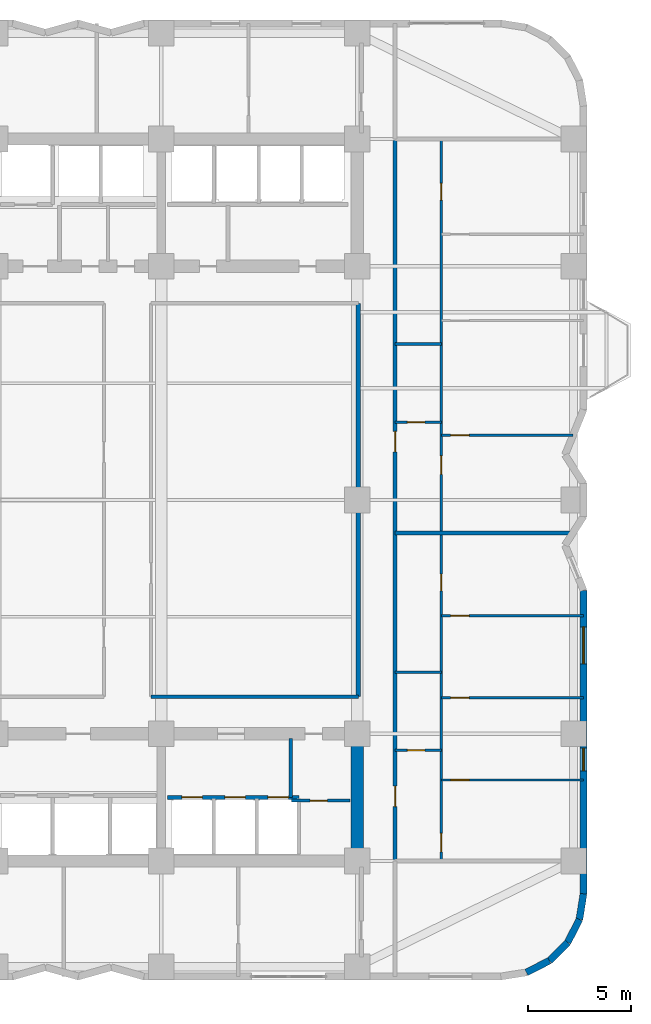
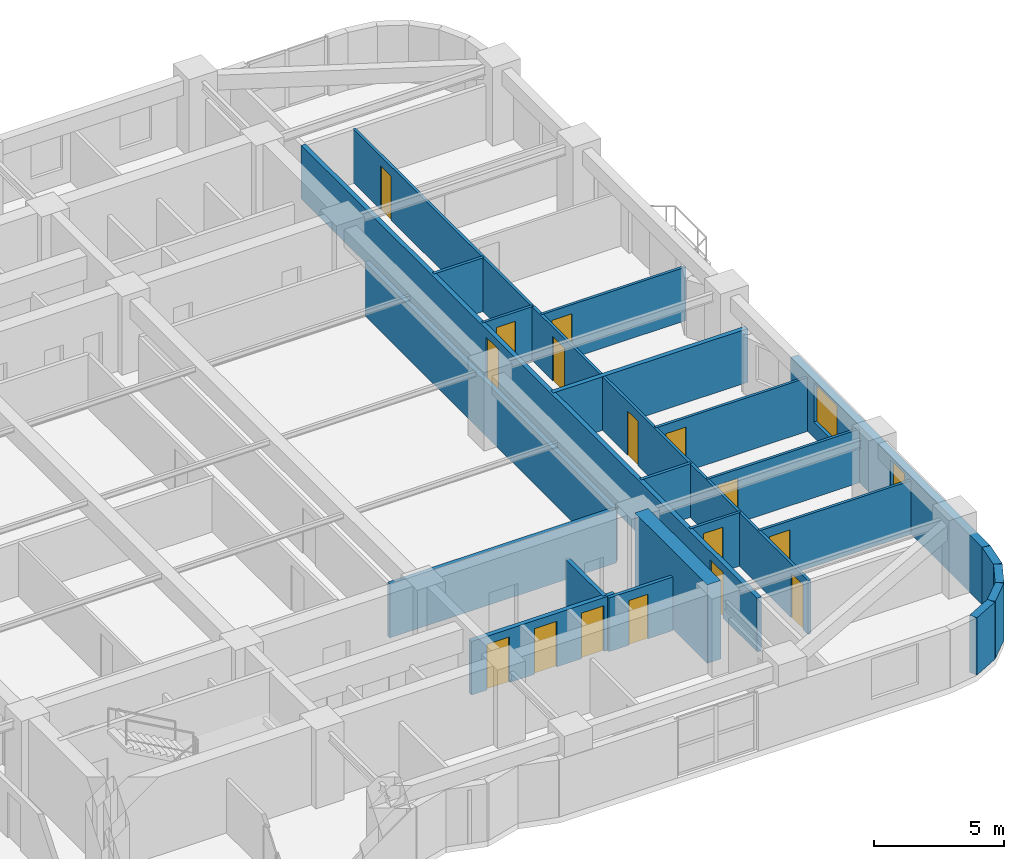
# One storey, part 8 of 13: 23 walls, 16 doors, 2 windows, 18 openings.
"""IFC4 building model written with IfcOpenShell, lengths in metres."""

from ifc_helpers import new_model, si_unit, direction, frame, frame_2d, origin, place, context, subcontext, project, spatial, rectangle, extrude, material, layer, layer_set, type_object, element, fill, save


model = new_model("IFC4")

# Units and contexts
model_context = context("Model", 3, precision=1e-05, world=origin(), true_north=direction((0.0, 1.0)))
body_context = subcontext(model_context, "Body", "Model", "MODEL_VIEW")
ifc_project = project(units=[si_unit("LENGTHUNIT", "METRE"), si_unit("AREAUNIT", "SQUARE_METRE"), si_unit("VOLUMEUNIT", "CUBIC_METRE"), si_unit("PLANEANGLEUNIT", "RADIAN"), si_unit("MASSUNIT", "GRAM", prefix="KILO")], contexts=[model_context])

# Site, building, storey
site_placement = place(None, origin())
site = spatial("IfcSite", under=ifc_project, at=site_placement, CompositionType="ELEMENT")
building_placement = place(site_placement, origin())
building = spatial("IfcBuilding", under=site, at=building_placement, Name="Svetorya Sky Lyceum", CompositionType="ELEMENT")
storey_placement = place(building_placement, frame((0.0, 0.0, 39.89990234375)))
storey = spatial("IfcBuildingStorey", under=building, at=storey_placement, Name="L09", CompositionType="ELEMENT", Elevation=39.89990234375)

# Walls
ifc_material_1 = material(Name="Concrete C60/75", Category="concrete")
ifc_layer_1 = layer(ifc_material_1, 0.60009765625)
ifc_layer_set_1 = layer_set([ifc_layer_1], Name="Concrete C60/75")
wall_type_1 = type_object("IfcWallType", Name="WL-CORE-600", PredefinedType="SHEAR", material=ifc_layer_set_1)
wall_1_placement = place(storey_placement, frame((52.800048828125, 10.89990234375, 0.0), z_axis=(0.0, 0.0, 1.0), x_axis=(0.0, 1.0, 0.0)))
element("IfcWall", 1, at=wall_1_placement, inside=storey, type_object=wall_type_1, Name="L09 SC East Core Shear Wall", PredefinedType="SHEAR", context=body_context, shape_type="SweptSolid", body=[
    extrude(rectangle(XDim=5.60009765625, YDim=0.60009765625, at=frame_2d((2.800048828125, 0.0))), origin(), (0.0, 0.0, 1.0), 3.7001953125),
])
ifc_material_2 = material(Name="Putilovo limestone rainscreen on autoclaved cellular masonry", Category="masonry")
ifc_layer_2 = layer(ifc_material_2, 0.340087890625)
ifc_layer_set_2 = layer_set([ifc_layer_2], Name="Putilovo limestone rainscreen on autoclaved cellular masonry")
wall_type_2 = type_object("IfcWallType", Name="WL-EXT-340", PredefinedType="SOLIDWALL", material=ifc_layer_set_2)
for number, where, z_axis, x_axis, name in (
    (2, (61.04541015625, 5.167236328125, 0.0), (0.0, 0.0, 1.0), (0.890953769915, 0.454094020963, 0.0), "L09 Limestone Exterior Wall 13M"),
    (3, (62.168701171875, 5.73974609375, 0.0), (0.0, 0.0, 1.0), (0.707203598708, 0.707009950407, 0.0), "L09 Limestone Exterior Wall 14M"),
):
    element("IfcWall", number, at=place(storey_placement, frame(where, z_axis=z_axis, x_axis=x_axis)), inside=storey, type_object=wall_type_2, Name=name, PredefinedType="SOLIDWALL", context=body_context, shape_type="SweptSolid", body=[
        extrude(rectangle(XDim=1.2607421875, YDim=0.340087890625, at=frame_2d((0.63037109375, 0.0))), origin(), (0.0, 0.0, 1.0), 2.7001953125),
    ])
for number, where, z_axis, x_axis, name in (
    (4, (63.060302734375, 6.631103515625, 0.0), (0.0, 0.0, 1.0), (0.454015689056, 0.890993689142, 0.0), "L09 Limestone Exterior Wall 15M"),
    (5, (63.6328125, 7.754638671875, 0.0), (0.0, 0.0, 1.0), (0.15644975923, 0.987685918112, 0.0), "L09 Limestone Exterior Wall 16M"),
):
    element("IfcWall", number, at=place(storey_placement, frame(where, z_axis=z_axis, x_axis=x_axis)), inside=storey, type_object=wall_type_2, Name=name, PredefinedType="SOLIDWALL", context=body_context, shape_type="SweptSolid", body=[
        extrude(rectangle(XDim=1.260986328125, YDim=0.340087890625, at=frame_2d((0.63037109375, 0.0))), origin(), (0.0, 0.0, 1.0), 2.7001953125),
    ])

# Wall, openings, windows
wall_2_placement = place(storey_placement, frame((63.830078125, 9.0, 0.0), z_axis=(0.0, 0.0, 1.0), x_axis=(0.0, 1.0, 0.0)))
wall_2 = element("IfcWall", 6, at=wall_2_placement, inside=storey, type_object=wall_type_2, Name="L09 Limestone Exterior Wall 17M", PredefinedType="SOLIDWALL", context=body_context, shape_type="SweptSolid", body=[
    extrude(rectangle(XDim=14.800048828125, YDim=0.340087890625, at=frame_2d((7.39990234375, 0.0))), origin(), (0.0, 0.0, 1.0), 2.7001953125),
])
opening_1_placement = place(wall_2_placement, frame((6.0, 0.0, 0.889892578125)))
opening_1 = element("IfcOpeningElement", 7, at=opening_1_placement, cuts=wall_2, Name="Opening W-R3", PredefinedType="OPENING", context=body_context, shape_type="SweptSolid", body=[
    extrude(rectangle(XDim=1.10009765625, YDim=1.64990234375, at=frame_2d((0.550048828125, 0.824951171875))), frame((0.0, 0.179931640625, 0.0), z_axis=(0.0, -1.0, 0.0), x_axis=(1.0, 0.0, 0.0)), (0.0, 0.0, 1.0), 0.360107421875),
])
opening_2_placement = place(wall_2_placement, frame((11.21240234375, 0.0, 0.72998046875)))
opening_2 = element("IfcOpeningElement", 8, at=opening_2_placement, cuts=wall_2, Name="Opening W-R1", PredefinedType="OPENING", context=body_context, shape_type="SweptSolid", body=[
    extrude(rectangle(XDim=1.800048828125, YDim=1.85009765625, at=frame_2d((0.89990234375, 0.925048828125))), frame((0.0, 0.179931640625, 0.0), z_axis=(0.0, -1.0, 0.0), x_axis=(1.0, 0.0, 0.0)), (0.0, 0.0, 1.0), 0.360107421875),
])
ifc_material_3 = material(Name="Thermally broken aluminium frame with triple low-E glazing", Category="aluminium")
window_type_1 = type_object("IfcWindowType", Name="WN-RES-110", PartitioningType="SINGLE_PANEL", PredefinedType="WINDOW", material=ifc_material_3)
window_1_placement = place(opening_1_placement, origin())
window_1 = element("IfcWindow", 9, at=window_1_placement, inside=storey, type_object=window_type_1, Name="L09 Facade Window W-R3.17M.2", OverallHeight=1.64990234375, OverallWidth=1.10009765625, PartitioningType="SINGLE_PANEL", PredefinedType="WINDOW", context=body_context, shape_type="SweptSolid", body=[
    extrude(rectangle(XDim=1.10009765625, YDim=1.64990234375, at=frame_2d((0.550048828125, 0.824951171875))), frame((0.0, 0.030029296875, 0.0), z_axis=(0.0, -1.0, 0.0), x_axis=(1.0, 0.0, 0.0)), (0.0, 0.0, 1.0), 0.06005859375),
])
fill(opening_1, window_1)
window_type_2 = type_object("IfcWindowType", Name="WN-RES-180", PartitioningType="DOUBLE_PANEL_VERTICAL", PredefinedType="WINDOW", material=ifc_material_3)
window_2_placement = place(opening_2_placement, origin())
window_2 = element("IfcWindow", 10, at=window_2_placement, inside=storey, type_object=window_type_2, Name="L09 Facade Window W-R1.17M.1", OverallHeight=1.85009765625, OverallWidth=1.800048828125, PartitioningType="SINGLE_PANEL", PredefinedType="WINDOW", context=body_context, shape_type="SweptSolid", body=[
    extrude(rectangle(XDim=1.800048828125, YDim=1.85009765625, at=frame_2d((0.89990234375, 0.925048828125))), frame((0.0, 0.030029296875, 0.0), z_axis=(0.0, -1.0, 0.0), x_axis=(1.0, 0.0, 0.0)), (0.0, 0.0, 1.0), 0.06005859375),
])
fill(opening_2, window_2)

# Wall, opening, door
ifc_material_4 = material(Name="Twin-stud galvanized framing with double fireboard", Category="gypsum")
ifc_layer_3 = layer(ifc_material_4, 0.1201171875)
ifc_layer_set_3 = layer_set([ifc_layer_3], Name="Twin-stud galvanized framing with double fireboard")
wall_type_3 = type_object("IfcWallType", Name="WL-PART-120", PredefinedType="PARTITIONING", material=ifc_layer_set_3)
wall_3_placement = place(storey_placement, frame((54.64990234375, 16.0, 0.0), z_axis=(0.0, 0.0, 1.0), x_axis=(1.0, 0.0, 0.0)))
wall_3 = element("IfcWall", 11, at=wall_3_placement, inside=storey, type_object=wall_type_3, Name="L09 Interior Partition E1-WH1", PredefinedType="PARTITIONING", context=body_context, shape_type="SweptSolid", body=[
    extrude(rectangle(XDim=2.25, YDim=0.1201171875, at=frame_2d((1.125, 0.0))), origin(), (0.0, 0.0, 1.0), 2.530029296875),
])
opening_3_placement = place(wall_3_placement, frame((0.60009765625, 0.0, 0.0)))
opening_3 = element("IfcOpeningElement", 12, at=opening_3_placement, cuts=wall_3, Name="Opening D-BT1", PredefinedType="OPENING", context=body_context, shape_type="SweptSolid", body=[
    extrude(rectangle(XDim=0.85009765625, YDim=2.10009765625, at=frame_2d((0.425048828125, 1.050048828125))), frame((0.0, 0.070068359375, 0.0), z_axis=(0.0, -1.0, 0.0), x_axis=(1.0, 0.0, 0.0)), (0.0, 0.0, 1.0), 0.14013671875),
])
ifc_material_5 = material(Name="Moisture-resistant laminate bathroom door")
door_type_1 = type_object("IfcDoorType", Name="DR-WET-850", OperationType="SINGLE_SWING_LEFT", PredefinedType="DOOR", material=ifc_material_5)
door_1_placement = place(opening_3_placement, origin())
door_1 = element("IfcDoor", 13, at=door_1_placement, inside=storey, type_object=door_type_1, Name="Apartment E1 Bathroom Door", OperationType="SINGLE_SWING_RIGHT", OverallHeight=2.10009765625, OverallWidth=0.85009765625, PredefinedType="DOOR", context=body_context, shape_type="SweptSolid", body=[
    extrude(rectangle(XDim=0.85009765625, YDim=2.10009765625, at=frame_2d((0.425048828125, 1.050048828125))), frame((0.0, 0.02490234375, 0.0), z_axis=(0.0, -1.0, 0.0), x_axis=(1.0, 0.0, 0.0)), (0.0, 0.0, 1.0), 0.050048828125),
])
fill(opening_3, door_1)

wall_4_placement = place(storey_placement, frame((56.89990234375, 14.550048828125, 0.0), z_axis=(0.0, 0.0, 1.0), x_axis=(1.0, 0.0, 0.0)))
wall_4 = element("IfcWall", 14, at=wall_4_placement, inside=storey, type_object=wall_type_3, Name="L09 Interior Partition E1-WL1", PredefinedType="PARTITIONING", context=body_context, shape_type="SweptSolid", body=[
    extrude(rectangle(XDim=6.93017578125, YDim=0.1201171875, at=frame_2d((3.465087890625, 0.0))), origin(), (0.0, 0.0, 1.0), 2.530029296875),
])
opening_4_placement = place(wall_4_placement, frame((0.449951171875, 0.0, 0.0)))
opening_4 = element("IfcOpeningElement", 15, at=opening_4_placement, cuts=wall_4, Name="Opening D-RM1", PredefinedType="OPENING", context=body_context, shape_type="SweptSolid", body=[
    extrude(rectangle(XDim=0.89990234375, YDim=2.10009765625, at=frame_2d((0.449951171875, 1.050048828125))), frame((0.0, 0.070068359375, 0.0), z_axis=(0.0, -1.0, 0.0), x_axis=(1.0, 0.0, 0.0)), (0.0, 0.0, 1.0), 0.14013671875),
])
ifc_material_6 = material(Name="Lacquered birch veneer internal door")
door_type_2 = type_object("IfcDoorType", Name="DR-INT-900", OperationType="SINGLE_SWING_LEFT", PredefinedType="DOOR", material=ifc_material_6)
door_2_placement = place(opening_4_placement, origin())
door_2 = element("IfcDoor", 16, at=door_2_placement, inside=storey, type_object=door_type_2, Name="Apartment E1 Master Bedroom Door", OperationType="SINGLE_SWING_RIGHT", OverallHeight=2.10009765625, OverallWidth=0.89990234375, PredefinedType="DOOR", context=body_context, shape_type="SweptSolid", body=[
    extrude(rectangle(XDim=0.89990234375, YDim=2.10009765625, at=frame_2d((0.449951171875, 1.050048828125))), frame((0.0, 0.02490234375, 0.0), z_axis=(0.0, -1.0, 0.0), x_axis=(1.0, 0.0, 0.0)), (0.0, 0.0, 1.0), 0.050048828125),
])
fill(opening_4, door_2)

wall_5_placement = place(storey_placement, frame((56.89990234375, 18.550048828125, 0.0), z_axis=(0.0, 0.0, 1.0), x_axis=(1.0, 0.0, 0.0)))
wall_5 = element("IfcWall", 17, at=wall_5_placement, inside=storey, type_object=wall_type_3, Name="L09 Interior Partition E1-WL2", PredefinedType="PARTITIONING", context=body_context, shape_type="SweptSolid", body=[
    extrude(rectangle(XDim=6.93017578125, YDim=0.1201171875, at=frame_2d((3.465087890625, 0.0))), origin(), (0.0, 0.0, 1.0), 2.530029296875),
])
opening_5_placement = place(wall_5_placement, frame((0.449951171875, 0.0, 0.0)))
opening_5 = element("IfcOpeningElement", 18, at=opening_5_placement, cuts=wall_5, Name="Opening D-RM1", PredefinedType="OPENING", context=body_context, shape_type="SweptSolid", body=[
    extrude(rectangle(XDim=0.89990234375, YDim=2.10009765625, at=frame_2d((0.449951171875, 1.050048828125))), frame((0.0, 0.070068359375, 0.0), z_axis=(0.0, -1.0, 0.0), x_axis=(1.0, 0.0, 0.0)), (0.0, 0.0, 1.0), 0.14013671875),
])
door_3_placement = place(opening_5_placement, origin())
door_3 = element("IfcDoor", 19, at=door_3_placement, inside=storey, type_object=door_type_2, Name="Apartment E1 Bedroom 2 Door", OperationType="SINGLE_SWING_LEFT", OverallHeight=2.10009765625, OverallWidth=0.89990234375, PredefinedType="DOOR", context=body_context, shape_type="SweptSolid", body=[
    extrude(rectangle(XDim=0.89990234375, YDim=2.10009765625, at=frame_2d((0.449951171875, 1.050048828125))), frame((0.0, 0.02490234375, 0.0), z_axis=(0.0, -1.0, 0.0), x_axis=(1.0, 0.0, 0.0)), (0.0, 0.0, 1.0), 0.050048828125),
])
fill(opening_5, door_3)

wall_6_placement = place(storey_placement, frame((56.89990234375, 22.550048828125, 0.0), z_axis=(0.0, 0.0, 1.0), x_axis=(1.0, 0.0, 0.0)))
wall_6 = element("IfcWall", 20, at=wall_6_placement, inside=storey, type_object=wall_type_3, Name="L09 Interior Partition E1-WL3", PredefinedType="PARTITIONING", context=body_context, shape_type="SweptSolid", body=[
    extrude(rectangle(XDim=6.93017578125, YDim=0.1201171875, at=frame_2d((3.465087890625, 0.0))), origin(), (0.0, 0.0, 1.0), 2.530029296875),
])
opening_6_placement = place(wall_6_placement, frame((0.449951171875, 0.0, 0.0)))
opening_6 = element("IfcOpeningElement", 21, at=opening_6_placement, cuts=wall_6, Name="Opening D-RM1", PredefinedType="OPENING", context=body_context, shape_type="SweptSolid", body=[
    extrude(rectangle(XDim=0.89990234375, YDim=2.10009765625, at=frame_2d((0.449951171875, 1.050048828125))), frame((0.0, 0.070068359375, 0.0), z_axis=(0.0, -1.0, 0.0), x_axis=(1.0, 0.0, 0.0)), (0.0, 0.0, 1.0), 0.14013671875),
])
door_4_placement = place(opening_6_placement, origin())
door_4 = element("IfcDoor", 22, at=door_4_placement, inside=storey, type_object=door_type_2, Name="Apartment E1 Bedroom 3 Door", OperationType="SINGLE_SWING_RIGHT", OverallHeight=2.10009765625, OverallWidth=0.89990234375, PredefinedType="DOOR", context=body_context, shape_type="SweptSolid", body=[
    extrude(rectangle(XDim=0.89990234375, YDim=2.10009765625, at=frame_2d((0.449951171875, 1.050048828125))), frame((0.0, 0.02490234375, 0.0), z_axis=(0.0, -1.0, 0.0), x_axis=(1.0, 0.0, 0.0)), (0.0, 0.0, 1.0), 0.050048828125),
])
fill(opening_6, door_4)

# Wall, openings, doors
wall_7_placement = place(storey_placement, frame((56.89990234375, 10.639892578125, 0.0), z_axis=(0.0, 0.0, 1.0), x_axis=(0.0, 1.0, 0.0)))
wall_7 = element("IfcWall", 23, at=wall_7_placement, inside=storey, type_object=wall_type_3, Name="L09 Interior Partition E1-WV", PredefinedType="PARTITIONING", context=body_context, shape_type="SweptSolid", body=[
    extrude(rectangle(XDim=15.920166015625, YDim=0.1201171875, at=frame_2d((7.9599609375, 0.0))), origin(), (0.0, 0.0, 1.0), 2.530029296875),
])
opening_7_placement = place(wall_7_placement, frame((0.409912109375, 0.0, 0.0)))
opening_7 = element("IfcOpeningElement", 24, at=opening_7_placement, cuts=wall_7, Name="Opening D-RM1", PredefinedType="OPENING", context=body_context, shape_type="SweptSolid", body=[
    extrude(rectangle(XDim=0.89990234375, YDim=2.10009765625, at=frame_2d((0.449951171875, 1.050048828125))), frame((0.0, 0.070068359375, 0.0), z_axis=(0.0, -1.0, 0.0), x_axis=(1.0, 0.0, 0.0)), (0.0, 0.0, 1.0), 0.14013671875),
])
opening_8_placement = place(wall_7_placement, frame((13.125, 0.0, 0.0)))
opening_8 = element("IfcOpeningElement", 25, at=opening_8_placement, cuts=wall_7, Name="Opening D-BT2", PredefinedType="OPENING", context=body_context, shape_type="SweptSolid", body=[
    extrude(rectangle(XDim=0.820068359375, YDim=2.080078125, at=frame_2d((0.41015625, 1.0400390625))), frame((0.0, 0.070068359375, 0.0), z_axis=(0.0, -1.0, 0.0), x_axis=(1.0, 0.0, 0.0)), (0.0, 0.0, 1.0), 0.14013671875),
])
door_5_placement = place(opening_7_placement, origin())
door_5 = element("IfcDoor", 26, at=door_5_placement, inside=storey, type_object=door_type_2, Name="Apartment E1 Living Door", OperationType="SINGLE_SWING_LEFT", OverallHeight=2.10009765625, OverallWidth=0.89990234375, PredefinedType="DOOR", context=body_context, shape_type="SweptSolid", body=[
    extrude(rectangle(XDim=0.89990234375, YDim=2.10009765625, at=frame_2d((0.449951171875, 1.050048828125))), frame((0.0, 0.02490234375, 0.0), z_axis=(0.0, -1.0, 0.0), x_axis=(1.0, 0.0, 0.0)), (0.0, 0.0, 1.0), 0.050048828125),
])
fill(opening_7, door_5)
ifc_material_7 = material(Name="Compact moisture-resistant laminate closet door")
door_type_3 = type_object("IfcDoorType", Name="DR-WET-820", OperationType="SINGLE_SWING_LEFT", PredefinedType="DOOR", material=ifc_material_7)
door_6_placement = place(opening_8_placement, origin())
door_6 = element("IfcDoor", 27, at=door_6_placement, inside=storey, type_object=door_type_3, Name="Apartment E1 Study Door", OperationType="SINGLE_SWING_RIGHT", OverallHeight=2.080078125, OverallWidth=0.820068359375, PredefinedType="DOOR", context=body_context, shape_type="SweptSolid", body=[
    extrude(rectangle(XDim=0.820068359375, YDim=2.080078125, at=frame_2d((0.41015625, 1.0400390625))), frame((0.0, 0.02490234375, 0.0), z_axis=(0.0, -1.0, 0.0), x_axis=(1.0, 0.0, 0.0)), (0.0, 0.0, 1.0), 0.050048828125),
])
fill(opening_8, door_6)

# Wall, opening, door
wall_8_placement = place(storey_placement, frame((54.64990234375, 32.0, 0.0), z_axis=(0.0, 0.0, 1.0), x_axis=(1.0, 0.0, 0.0)))
wall_8 = element("IfcWall", 28, at=wall_8_placement, inside=storey, type_object=wall_type_3, Name="L09 Interior Partition E2-WH1", PredefinedType="PARTITIONING", context=body_context, shape_type="SweptSolid", body=[
    extrude(rectangle(XDim=2.25, YDim=0.1201171875, at=frame_2d((1.125, 0.0))), origin(), (0.0, 0.0, 1.0), 2.530029296875),
])
opening_9_placement = place(wall_8_placement, frame((0.60009765625, 0.0, 0.0)))
opening_9 = element("IfcOpeningElement", 29, at=opening_9_placement, cuts=wall_8, Name="Opening D-BT1", PredefinedType="OPENING", context=body_context, shape_type="SweptSolid", body=[
    extrude(rectangle(XDim=0.85009765625, YDim=2.10009765625, at=frame_2d((0.425048828125, 1.050048828125))), frame((0.0, 0.070068359375, 0.0), z_axis=(0.0, -1.0, 0.0), x_axis=(1.0, 0.0, 0.0)), (0.0, 0.0, 1.0), 0.14013671875),
])
door_7_placement = place(opening_9_placement, origin())
door_7 = element("IfcDoor", 30, at=door_7_placement, inside=storey, type_object=door_type_1, Name="Apartment E2 Bathroom Door", OperationType="SINGLE_SWING_LEFT", OverallHeight=2.10009765625, OverallWidth=0.85009765625, PredefinedType="DOOR", context=body_context, shape_type="SweptSolid", body=[
    extrude(rectangle(XDim=0.85009765625, YDim=2.10009765625, at=frame_2d((0.425048828125, 1.050048828125))), frame((0.0, 0.02490234375, 0.0), z_axis=(0.0, -1.0, 0.0), x_axis=(1.0, 0.0, 0.0)), (0.0, 0.0, 1.0), 0.050048828125),
])
fill(opening_9, door_7)

wall_9_placement = place(storey_placement, frame((56.89990234375, 31.35009765625, 0.0), z_axis=(0.0, 0.0, 1.0), x_axis=(1.0, 0.0, 0.0)))
wall_9 = element("IfcWall", 31, at=wall_9_placement, inside=storey, type_object=wall_type_3, Name="L09 Interior Partition E2-WL1", PredefinedType="PARTITIONING", context=body_context, shape_type="SweptSolid", body=[
    extrude(rectangle(XDim=6.418701171875, YDim=0.1201171875, at=frame_2d((3.20947265625, 0.0))), origin(), (0.0, 0.0, 1.0), 2.530029296875),
])
opening_10_placement = place(wall_9_placement, frame((0.449951171875, 0.0, 0.0)))
opening_10 = element("IfcOpeningElement", 32, at=opening_10_placement, cuts=wall_9, Name="Opening D-RM1", PredefinedType="OPENING", context=body_context, shape_type="SweptSolid", body=[
    extrude(rectangle(XDim=0.89990234375, YDim=2.10009765625, at=frame_2d((0.449951171875, 1.050048828125))), frame((0.0, 0.070068359375, 0.0), z_axis=(0.0, -1.0, 0.0), x_axis=(1.0, 0.0, 0.0)), (0.0, 0.0, 1.0), 0.14013671875),
])
door_8_placement = place(opening_10_placement, origin())
door_8 = element("IfcDoor", 33, at=door_8_placement, inside=storey, type_object=door_type_2, Name="Apartment E2 Master Bedroom Door", OperationType="SINGLE_SWING_LEFT", OverallHeight=2.10009765625, OverallWidth=0.89990234375, PredefinedType="DOOR", context=body_context, shape_type="SweptSolid", body=[
    extrude(rectangle(XDim=0.89990234375, YDim=2.10009765625, at=frame_2d((0.449951171875, 1.050048828125))), frame((0.0, 0.02490234375, 0.0), z_axis=(0.0, -1.0, 0.0), x_axis=(1.0, 0.0, 0.0)), (0.0, 0.0, 1.0), 0.050048828125),
])
fill(opening_10, door_8)

# Wall, openings, doors
wall_10_placement = place(storey_placement, frame((56.89990234375, 26.639892578125, 0.0), z_axis=(0.0, 0.0, 1.0), x_axis=(0.0, 1.0, 0.0)))
wall_10 = element("IfcWall", 34, at=wall_10_placement, inside=storey, type_object=wall_type_3, Name="L09 Interior Partition E2-WV", PredefinedType="PARTITIONING", context=body_context, shape_type="SweptSolid", body=[
    extrude(rectangle(XDim=19.1201171875, YDim=0.1201171875, at=frame_2d((9.56005859375, 0.0))), origin(), (0.0, 0.0, 1.0), 2.530029296875),
])
opening_11_placement = place(wall_10_placement, frame((2.81005859375, 0.0, 0.0)))
opening_11 = element("IfcOpeningElement", 35, at=opening_11_placement, cuts=wall_10, Name="Opening D-RM1", PredefinedType="OPENING", context=body_context, shape_type="SweptSolid", body=[
    extrude(rectangle(XDim=0.89990234375, YDim=2.10009765625, at=frame_2d((0.449951171875, 1.050048828125))), frame((0.0, 0.070068359375, 0.0), z_axis=(0.0, -1.0, 0.0), x_axis=(1.0, 0.0, 0.0)), (0.0, 0.0, 1.0), 0.14013671875),
])
opening_12_placement = place(wall_10_placement, frame((16.179931640625, 0.0, 0.0)))
opening_12 = element("IfcOpeningElement", 36, at=opening_12_placement, cuts=wall_10, Name="Opening D-BT2", PredefinedType="OPENING", context=body_context, shape_type="SweptSolid", body=[
    extrude(rectangle(XDim=0.820068359375, YDim=2.080078125, at=frame_2d((0.41015625, 1.0400390625))), frame((0.0, 0.070068359375, 0.0), z_axis=(0.0, -1.0, 0.0), x_axis=(1.0, 0.0, 0.0)), (0.0, 0.0, 1.0), 0.14013671875),
])
door_9_placement = place(opening_11_placement, origin())
door_9 = element("IfcDoor", 37, at=door_9_placement, inside=storey, type_object=door_type_2, Name="Apartment E2 Living Door", OperationType="SINGLE_SWING_RIGHT", OverallHeight=2.10009765625, OverallWidth=0.89990234375, PredefinedType="DOOR", context=body_context, shape_type="SweptSolid", body=[
    extrude(rectangle(XDim=0.89990234375, YDim=2.10009765625, at=frame_2d((0.449951171875, 1.050048828125))), frame((0.0, 0.02490234375, 0.0), z_axis=(0.0, -1.0, 0.0), x_axis=(1.0, 0.0, 0.0)), (0.0, 0.0, 1.0), 0.050048828125),
])
fill(opening_11, door_9)
door_10_placement = place(opening_12_placement, origin())
door_10 = element("IfcDoor", 38, at=door_10_placement, inside=storey, type_object=door_type_3, Name="Apartment E2 Study Door", OperationType="SINGLE_SWING_LEFT", OverallHeight=2.080078125, OverallWidth=0.820068359375, PredefinedType="DOOR", context=body_context, shape_type="SweptSolid", body=[
    extrude(rectangle(XDim=0.820068359375, YDim=2.080078125, at=frame_2d((0.41015625, 1.0400390625))), frame((0.0, 0.02490234375, 0.0), z_axis=(0.0, -1.0, 0.0), x_axis=(1.0, 0.0, 0.0)), (0.0, 0.0, 1.0), 0.050048828125),
])
fill(opening_12, door_10)

# Walls
ifc_material_8 = material(Name="Twin-stud galvanized framing with acoustic board", Category="gypsum")
ifc_layer_4 = layer(ifc_material_8, 0.135009765625)
ifc_layer_set_4 = layer_set([ifc_layer_4], Name="Twin-stud galvanized framing with acoustic board")
wall_type_4 = type_object("IfcWallType", Name="WL-PART-135", PredefinedType="PARTITIONING", material=ifc_layer_set_4)
for number, where, z_axis, x_axis, name in (
    (39, (54.64990234375, 19.800048828125, 0.0), (0.0, 0.0, 1.0), (1.0, 0.0, 0.0), "L09 Interior Partition E1-WH2"),
    (40, (54.64990234375, 35.800048828125, 0.0), (0.0, 0.0, 1.0), (1.0, 0.0, 0.0), "L09 Interior Partition E2-WH2"),
):
    element("IfcWall", number, at=place(storey_placement, frame(where, z_axis=z_axis, x_axis=x_axis)), inside=storey, type_object=wall_type_4, Name=name, PredefinedType="PARTITIONING", context=body_context, shape_type="SweptSolid", body=[
        extrude(rectangle(XDim=2.25, YDim=0.135009765625, at=frame_2d((1.125, 0.0))), origin(), (0.0, 0.0, 1.0), 2.530029296875),
    ])

# Wall, opening, door
ifc_material_9 = material(Name="Autoclaved cellular masonry blockwork with acoustic render", Category="masonry")
ifc_layer_5 = layer(ifc_material_9, 0.14990234375)
ifc_layer_set_5 = layer_set([ifc_layer_5], Name="Autoclaved cellular masonry blockwork with acoustic render")
wall_type_5 = type_object("IfcWallType", Name="WL-PART-150", PredefinedType="PARTITIONING", material=ifc_layer_set_5)
wall_11_placement = place(storey_placement, frame((49.60009765625, 13.550048828125, 0.0), z_axis=(0.0, 0.0, 1.0), x_axis=(1.0, 0.0, 0.0)))
wall_11 = element("IfcWall", 41, at=wall_11_placement, inside=storey, type_object=wall_type_5, Name="L09 Interior Partition SC-AUX-H", PredefinedType="PARTITIONING", context=body_context, shape_type="SweptSolid", body=[
    extrude(rectangle(XDim=2.849853515625, YDim=0.14990234375, at=frame_2d((1.4248046875, 0.0))), origin(), (0.0, 0.0, 1.0), 2.530029296875),
])
opening_13_placement = place(wall_11_placement, frame((0.89990234375, 0.0, 0.0)))
opening_13 = element("IfcOpeningElement", 42, at=opening_13_placement, cuts=wall_11, Name="Opening D-CWC1", PredefinedType="OPENING", context=body_context, shape_type="SweptSolid", body=[
    extrude(rectangle(XDim=0.85009765625, YDim=2.10009765625, at=frame_2d((0.425048828125, 1.050048828125))), frame((0.0, 0.0849609375, 0.0), z_axis=(0.0, -1.0, 0.0), x_axis=(1.0, 0.0, 0.0)), (0.0, 0.0, 1.0), 0.169921875),
])
ifc_material_10 = material(Name="Fire-rated galvanized steel core service closet door", Category="steel")
door_type_4 = type_object("IfcDoorType", Name="DR-CWET-850", OperationType="SINGLE_SWING_LEFT", PredefinedType="DOOR", material=ifc_material_10)
door_11_placement = place(opening_13_placement, origin())
door_11 = element("IfcDoor", 43, at=door_11_placement, inside=storey, type_object=door_type_4, Name="L09 South Electrical Closet Door", OperationType="SINGLE_SWING_LEFT", OverallHeight=2.10009765625, OverallWidth=0.85009765625, PredefinedType="DOOR", context=body_context, shape_type="SweptSolid", body=[
    extrude(rectangle(XDim=0.85009765625, YDim=2.10009765625, at=frame_2d((0.425048828125, 1.050048828125))), frame((0.0, 0.02490234375, 0.0), z_axis=(0.0, -1.0, 0.0), x_axis=(1.0, 0.0, 0.0)), (0.0, 0.0, 1.0), 0.050048828125),
])
fill(opening_13, door_11)

# Walls
ifc_material_11 = material(Name="Autoclaved cellular masonry blockwork with fire render", Category="masonry")
ifc_layer_6 = layer(ifc_material_11, 0.175048828125)
ifc_layer_set_6 = layer_set([ifc_layer_6], Name="Autoclaved cellular masonry blockwork with fire render")
wall_type_6 = type_object("IfcWallType", Name="WL-PART-175", PredefinedType="PARTITIONING", material=ifc_layer_set_6)
wall_12_placement = place(storey_placement, frame((49.550048828125, 13.699951171875, 0.0), z_axis=(0.0, 0.0, 1.0), x_axis=(0.0, 1.0, 0.0)))
element("IfcWall", 44, at=wall_12_placement, inside=storey, type_object=wall_type_6, Name="L09 Interior Partition SC-AUX-V", PredefinedType="PARTITIONING", context=body_context, shape_type="SweptSolid", body=[
    extrude(rectangle(XDim=2.880126953125, YDim=0.175048828125, at=frame_2d((1.43994140625, 0.0))), origin(), (0.0, 0.0, 1.0), 2.530029296875),
])
wall_13_placement = place(storey_placement, frame((42.75, 18.60009765625, 0.0), z_axis=(0.0, 0.0, 1.0), x_axis=(1.0, 0.0, 0.0)))
element("IfcWall", 45, at=wall_13_placement, inside=storey, type_object=wall_type_6, Name="L09 Interior Partition CS-MID-E", PredefinedType="PARTITIONING", context=body_context, shape_type="SweptSolid", body=[
    extrude(rectangle(XDim=10.10009765625, YDim=0.175048828125, at=frame_2d((5.050048828125, 0.0))), origin(), (0.0, 0.0, 1.0), 2.530029296875),
])

# Wall, openings, doors
ifc_material_12 = material(Name="Autoclaved cellular masonry blockwork with gypsum plaster", Category="masonry")
ifc_layer_7 = layer(ifc_material_12, 0.199951171875)
ifc_layer_set_7 = layer_set([ifc_layer_7], Name="Autoclaved cellular masonry blockwork with gypsum plaster")
wall_type_7 = type_object("IfcWallType", Name="WL-PART-200", PredefinedType="PARTITIONING", material=ifc_layer_set_7)
wall_14_placement = place(storey_placement, frame((43.550048828125, 13.699951171875, 0.0), z_axis=(0.0, 0.0, 1.0), x_axis=(1.0, 0.0, 0.0)))
wall_14 = element("IfcWall", 46, at=wall_14_placement, inside=storey, type_object=wall_type_7, Name="L09 Interior Partition SC-PLW", PredefinedType="PARTITIONING", context=body_context, shape_type="SweptSolid", body=[
    extrude(rectangle(XDim=6.39990234375, YDim=0.199951171875, at=frame_2d((3.199951171875, 0.0))), origin(), (0.0, 0.0, 1.0), 2.530029296875),
])
opening_14_placement = place(wall_14_placement, frame((0.699951171875, 0.0, 0.0)))
opening_14 = element("IfcOpeningElement", 47, at=opening_14_placement, cuts=wall_14, Name="Opening LD-P1", PredefinedType="OPENING", context=body_context, shape_type="SweptSolid", body=[
    extrude(rectangle(XDim=1.0, YDim=2.14990234375, at=frame_2d((0.5, 1.074951171875))), frame((0.0, 0.10986328125, 0.0), z_axis=(0.0, -1.0, 0.0), x_axis=(1.0, 0.0, 0.0)), (0.0, 0.0, 1.0), 0.219970703125),
])
opening_15_placement = place(wall_14_placement, frame((2.800048828125, 0.0, 0.0)))
opening_15 = element("IfcOpeningElement", 48, at=opening_15_placement, cuts=wall_14, Name="Opening LD-P1", PredefinedType="OPENING", context=body_context, shape_type="SweptSolid", body=[
    extrude(rectangle(XDim=1.0, YDim=2.14990234375, at=frame_2d((0.5, 1.074951171875))), frame((0.0, 0.10986328125, 0.0), z_axis=(0.0, -1.0, 0.0), x_axis=(1.0, 0.0, 0.0)), (0.0, 0.0, 1.0), 0.219970703125),
])
opening_16_placement = place(wall_14_placement, frame((4.89990234375, 0.0, 0.0)))
opening_16 = element("IfcOpeningElement", 49, at=opening_16_placement, cuts=wall_14, Name="Opening LD-P1", PredefinedType="OPENING", context=body_context, shape_type="SweptSolid", body=[
    extrude(rectangle(XDim=1.0, YDim=2.14990234375, at=frame_2d((0.5, 1.074951171875))), frame((0.0, 0.10986328125, 0.0), z_axis=(0.0, -1.0, 0.0), x_axis=(1.0, 0.0, 0.0)), (0.0, 0.0, 1.0), 0.219970703125),
])
ifc_material_13 = material(Name="Champagne-anodized stainless passenger lift landing door")
door_type_5 = type_object("IfcDoorType", Name="DR-LIFT-1000", OperationType="SLIDING_TO_LEFT", PredefinedType="DOOR", material=ifc_material_13)
door_12_placement = place(opening_14_placement, origin())
door_12 = element("IfcDoor", 50, at=door_12_placement, inside=storey, type_object=door_type_5, Name="L09 Passenger Lift PL1 Landing Door", OperationType="SLIDING_TO_LEFT", OverallHeight=2.14990234375, OverallWidth=1.0, PredefinedType="DOOR", context=body_context, shape_type="SweptSolid", body=[
    extrude(rectangle(XDim=1.0, YDim=2.14990234375, at=frame_2d((0.5, 1.074951171875))), frame((0.0, 0.02490234375, 0.0), z_axis=(0.0, -1.0, 0.0), x_axis=(1.0, 0.0, 0.0)), (0.0, 0.0, 1.0), 0.050048828125),
])
fill(opening_14, door_12)
door_13_placement = place(opening_15_placement, origin())
door_13 = element("IfcDoor", 51, at=door_13_placement, inside=storey, type_object=door_type_5, Name="L09 Passenger Lift PL2 Landing Door", OperationType="SLIDING_TO_LEFT", OverallHeight=2.14990234375, OverallWidth=1.0, PredefinedType="DOOR", context=body_context, shape_type="SweptSolid", body=[
    extrude(rectangle(XDim=1.0, YDim=2.14990234375, at=frame_2d((0.5, 1.074951171875))), frame((0.0, 0.02490234375, 0.0), z_axis=(0.0, -1.0, 0.0), x_axis=(1.0, 0.0, 0.0)), (0.0, 0.0, 1.0), 0.050048828125),
])
fill(opening_15, door_13)
door_14_placement = place(opening_16_placement, origin())
door_14 = element("IfcDoor", 52, at=door_14_placement, inside=storey, type_object=door_type_5, Name="L09 Passenger Lift PL3 Landing Door", OperationType="SLIDING_TO_LEFT", OverallHeight=2.14990234375, OverallWidth=1.0, PredefinedType="DOOR", context=body_context, shape_type="SweptSolid", body=[
    extrude(rectangle(XDim=1.0, YDim=2.14990234375, at=frame_2d((0.5, 1.074951171875))), frame((0.0, 0.02490234375, 0.0), z_axis=(0.0, -1.0, 0.0), x_axis=(1.0, 0.0, 0.0)), (0.0, 0.0, 1.0), 0.050048828125),
])
fill(opening_16, door_14)

# Walls
wall_15_placement = place(storey_placement, frame((52.85009765625, 18.6298828125, 0.0), z_axis=(0.0, 0.0, 1.0), x_axis=(0.0, 1.0, 0.0)))
element("IfcWall", 53, at=wall_15_placement, inside=storey, type_object=wall_type_7, Name="L09 Interior Partition E-CEN-SEP", PredefinedType="PARTITIONING", context=body_context, shape_type="SweptSolid", body=[
    extrude(rectangle(XDim=19.14013671875, YDim=0.199951171875, at=frame_2d((9.570068359375, 0.0))), origin(), (0.0, 0.0, 1.0), 2.530029296875),
])
wall_16_placement = place(storey_placement, frame((54.64990234375, 26.60009765625, 0.0), z_axis=(0.0, 0.0, 1.0), x_axis=(1.0, 0.0, 0.0)))
element("IfcWall", 54, at=wall_16_placement, inside=storey, type_object=wall_type_7, Name="L09 Interior Partition E-PARTY-1", PredefinedType="PARTITIONING", context=body_context, shape_type="SweptSolid", body=[
    extrude(rectangle(XDim=8.665771484375, YDim=0.199951171875, at=frame_2d((4.3330078125, 0.0))), origin(), (0.0, 0.0, 1.0), 2.530029296875),
])

# Wall, openings, doors
wall_17_placement = place(storey_placement, frame((54.64990234375, 10.60009765625, 0.0), z_axis=(0.0, 0.0, 1.0), x_axis=(0.0, 1.0, 0.0)))
wall_17 = element("IfcWall", 55, at=wall_17_placement, inside=storey, type_object=wall_type_7, Name="L09 Interior Partition E-CORRW", PredefinedType="PARTITIONING", context=body_context, shape_type="SweptSolid", body=[
    extrude(rectangle(XDim=35.199951171875, YDim=0.199951171875, at=frame_2d((17.60009765625, 0.0))), origin(), (0.0, 0.0, 1.0), 2.530029296875),
])
opening_17_placement = place(wall_17_placement, frame((2.64990234375, 0.0, 0.0)))
opening_17 = element("IfcOpeningElement", 56, at=opening_17_placement, cuts=wall_17, Name="Opening D-APT1", PredefinedType="OPENING", context=body_context, shape_type="SweptSolid", body=[
    extrude(rectangle(XDim=1.0, YDim=2.14990234375, at=frame_2d((0.5, 1.074951171875))), frame((0.0, 0.10986328125, 0.0), z_axis=(0.0, -1.0, 0.0), x_axis=(1.0, 0.0, 0.0)), (0.0, 0.0, 1.0), 0.219970703125),
])
opening_18_placement = place(wall_17_placement, frame((19.949951171875, 0.0, 0.0)))
opening_18 = element("IfcOpeningElement", 57, at=opening_18_placement, cuts=wall_17, Name="Opening D-APT1", PredefinedType="OPENING", context=body_context, shape_type="SweptSolid", body=[
    extrude(rectangle(XDim=1.0, YDim=2.14990234375, at=frame_2d((0.5, 1.074951171875))), frame((0.0, 0.10986328125, 0.0), z_axis=(0.0, -1.0, 0.0), x_axis=(1.0, 0.0, 0.0)), (0.0, 0.0, 1.0), 0.219970703125),
])
ifc_material_14 = material(Name="Insulated oak-veneered apartment entrance door")
door_type_6 = type_object("IfcDoorType", Name="DR-APT-1000", OperationType="SINGLE_SWING_LEFT", PredefinedType="DOOR", material=ifc_material_14)
door_15_placement = place(opening_17_placement, origin())
door_15 = element("IfcDoor", 58, at=door_15_placement, inside=storey, type_object=door_type_6, Name="L09 Apartment E1 Entrance Door", OperationType="SINGLE_SWING_RIGHT", OverallHeight=2.14990234375, OverallWidth=1.0, PredefinedType="DOOR", context=body_context, shape_type="SweptSolid", body=[
    extrude(rectangle(XDim=1.0, YDim=2.14990234375, at=frame_2d((0.5, 1.074951171875))), frame((0.0, 0.02490234375, 0.0), z_axis=(0.0, -1.0, 0.0), x_axis=(1.0, 0.0, 0.0)), (0.0, 0.0, 1.0), 0.050048828125),
])
fill(opening_17, door_15)
door_16_placement = place(opening_18_placement, origin())
door_16 = element("IfcDoor", 59, at=door_16_placement, inside=storey, type_object=door_type_6, Name="L09 Apartment E2 Entrance Door", OperationType="SINGLE_SWING_LEFT", OverallHeight=2.14990234375, OverallWidth=1.0, PredefinedType="DOOR", context=body_context, shape_type="SweptSolid", body=[
    extrude(rectangle(XDim=1.0, YDim=2.14990234375, at=frame_2d((0.5, 1.074951171875))), frame((0.0, 0.02490234375, 0.0), z_axis=(0.0, -1.0, 0.0), x_axis=(1.0, 0.0, 0.0)), (0.0, 0.0, 1.0), 0.050048828125),
])
fill(opening_18, door_16)

save(model, "model.ifc")
